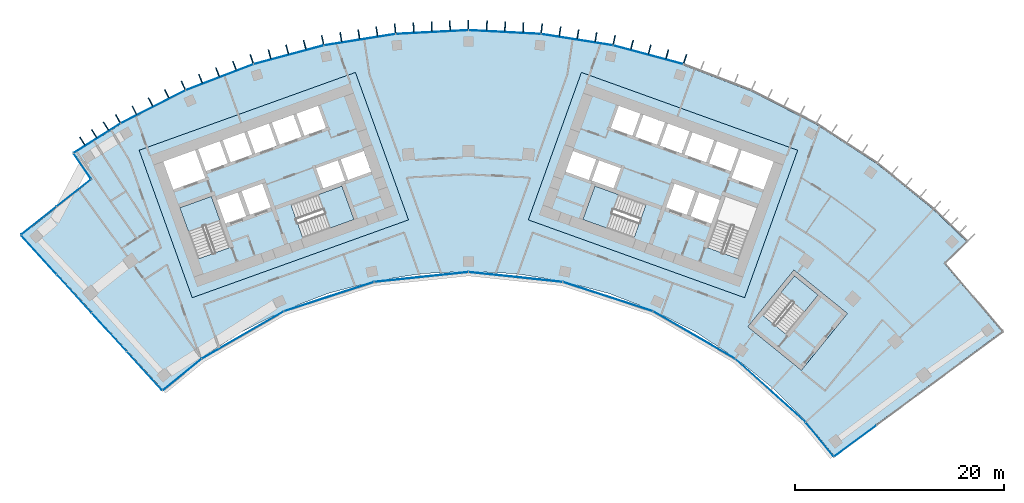
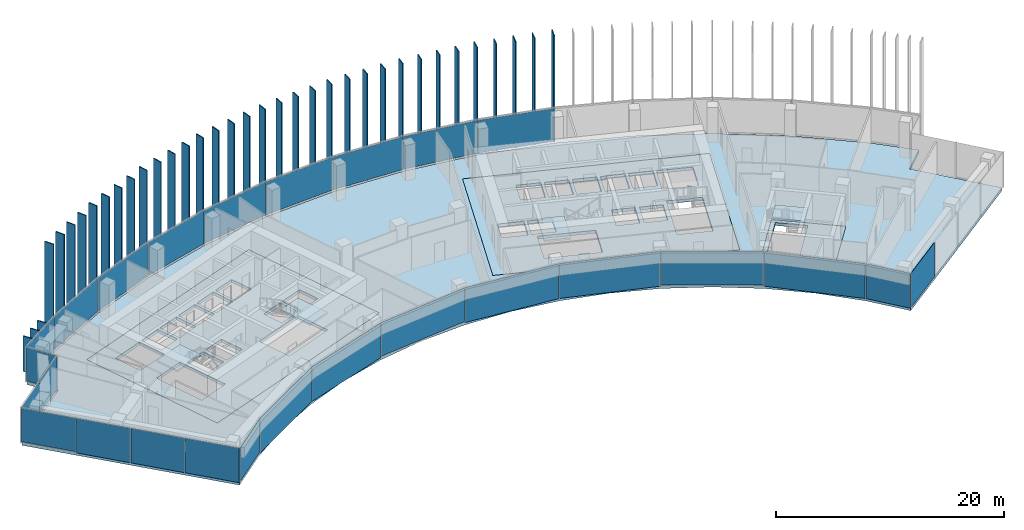
# One storey, part 11 of 19: 62 plates, 8 slabs, 10 elements without a shape of their own.
"""IFC4 building model written with IfcOpenShell, lengths in metres."""

from ifc_helpers import new_model, si_unit, direction, frame, origin, origin_2d, place, context, subcontext, project, spatial, polyline, rectangle, outline, extrude, material, layer, layer_set, type_object, element, aggregate, save


model = new_model("IFC4")

# Units and contexts
model_context = context("Model", 3, precision=1e-05, world=origin(), true_north=direction((0.0, 1.0)))
body_context = subcontext(model_context, "Body", "Model", "MODEL_VIEW")
ifc_project = project(units=[si_unit("LENGTHUNIT", "METRE"), si_unit("AREAUNIT", "SQUARE_METRE"), si_unit("VOLUMEUNIT", "CUBIC_METRE"), si_unit("PLANEANGLEUNIT", "RADIAN"), si_unit("MASSUNIT", "GRAM", prefix="KILO")], contexts=[model_context])

# Site, building, storey
site_placement = place(None, origin())
site = spatial("IfcSite", under=ifc_project, at=site_placement, CompositionType="ELEMENT")
building_placement = place(site_placement, origin())
building = spatial("IfcBuilding", under=site, at=building_placement, Name="Stone Belt Terrace Tower", CompositionType="ELEMENT")
storey_placement = place(building_placement, frame((0.0, 0.0, 235.199951171875)))
storey = spatial("IfcBuildingStorey", under=building, at=storey_placement, Name="L57", CompositionType="ELEMENT", Elevation=235.199951171875)

# Curtain wall, plates
ifc_material_1 = material(Name="Aluminium 6063-T6 anodised frame", Category="aluminium")
ifc_layer_1 = layer(ifc_material_1, 0.14990234375)
ifc_layer_set_1 = layer_set([ifc_layer_1], Name="CW-A unitised convex-face curtain wall")
curtain_wall_type_1 = type_object("IfcCurtainWallType", Name="CW-A unitised convex-face curtain wall", PredefinedType="NOTDEFINED", material=ifc_layer_set_1)
curtain_wall_1_placement = place(storey_placement, origin())
curtain_wall_1 = element("IfcCurtainWall", 1, at=curtain_wall_1_placement, inside=storey, type_object=curtain_wall_type_1, Name="CW-A convex face L57", PredefinedType="NOTDEFINED")
ifc_material_2 = material(Name="Clear double glazed unit")
ifc_layer_2 = layer(ifc_material_2, 0.031982421875)
ifc_layer_set_2 = layer_set([ifc_layer_2], Name="CW-A glass panel 32")
plate_type_1 = type_object("IfcPlateType", Name="CW-A glass panel 32", PredefinedType="CURTAIN_PANEL", material=ifc_layer_set_2)
plate_1_placement = place(storey_placement, frame((17.207275390625, 64.218505859375, 0.14013671875), z_axis=(0.0, 0.0, 1.0), x_axis=(-0.965925826289, 0.258819045103, 0.0)))
plate_1 = element("IfcPlate", 2, at=plate_1_placement, type_object=plate_type_1, Name="CW-A panel 6.1", PredefinedType="CURTAIN_PANEL", context=body_context, shape_type="SweptSolid", body=[
    extrude(rectangle(XDim=6.90087890625, YDim=0.031982421875, at=origin_2d()), origin(), (0.0, 0.0, 1.0), 3.52001953125),
])
plate_2_placement = place(storey_placement, frame((10.400390625, 65.665283203125, 0.14013671875), z_axis=(0.0, 0.0, 1.0), x_axis=(-0.987688340595, 0.15643446504, 0.0)))
plate_2 = element("IfcPlate", 3, at=plate_2_placement, type_object=plate_type_1, Name="CW-A panel 7.1", PredefinedType="CURTAIN_PANEL", context=body_context, shape_type="SweptSolid", body=[
    extrude(rectangle(XDim=6.90087890625, YDim=0.031982421875, at=origin_2d()), origin(), (0.0, 0.0, 1.0), 3.52001953125),
])
plate_3_placement = place(storey_placement, frame((3.4794921875, 66.392822265625, 0.14013671875), z_axis=(0.0, 0.0, 1.0), x_axis=(-0.998629534755, 0.052335956243, 0.0)))
plate_3 = element("IfcPlate", 4, at=plate_3_placement, type_object=plate_type_1, Name="CW-A panel 8.1", PredefinedType="CURTAIN_PANEL", context=body_context, shape_type="SweptSolid", body=[
    extrude(rectangle(XDim=6.90087890625, YDim=0.031982421875, at=origin_2d()), origin(), (0.0, 0.0, 1.0), 3.52001953125),
])
plate_4_placement = place(storey_placement, frame((-3.4794921875, 66.392822265625, 0.14013671875), z_axis=(0.0, 0.0, 1.0), x_axis=(-0.998629534755, -0.052335956243, 0.0)))
plate_4 = element("IfcPlate", 5, at=plate_4_placement, type_object=plate_type_1, Name="CW-A panel 9.1", PredefinedType="CURTAIN_PANEL", context=body_context, shape_type="SweptSolid", body=[
    extrude(rectangle(XDim=6.90087890625, YDim=0.031982421875, at=origin_2d()), origin(), (0.0, 0.0, 1.0), 3.52001953125),
])
plate_5_placement = place(storey_placement, frame((-10.400390625, 65.665283203125, 0.14013671875), z_axis=(0.0, 0.0, 1.0), x_axis=(-0.987688340595, -0.15643446504, 0.0)))
plate_5 = element("IfcPlate", 6, at=plate_5_placement, type_object=plate_type_1, Name="CW-A panel 10.1", PredefinedType="CURTAIN_PANEL", context=body_context, shape_type="SweptSolid", body=[
    extrude(rectangle(XDim=6.90087890625, YDim=0.031982421875, at=origin_2d()), origin(), (0.0, 0.0, 1.0), 3.52001953125),
])
plate_6_placement = place(storey_placement, frame((-17.207275390625, 64.218505859375, 0.14013671875), z_axis=(0.0, 0.0, 1.0), x_axis=(-0.965925826289, -0.258819045103, 0.0)))
plate_6 = element("IfcPlate", 7, at=plate_6_placement, type_object=plate_type_1, Name="CW-A panel 11.1", PredefinedType="CURTAIN_PANEL", context=body_context, shape_type="SweptSolid", body=[
    extrude(rectangle(XDim=6.90087890625, YDim=0.031982421875, at=origin_2d()), origin(), (0.0, 0.0, 1.0), 3.52001953125),
])
plate_7_placement = place(storey_placement, frame((-23.82568359375, 62.068115234375, 0.14013671875), z_axis=(0.0, 0.0, 1.0), x_axis=(-0.933580426497, -0.358367949545, 0.0)))
plate_7 = element("IfcPlate", 8, at=plate_7_placement, type_object=plate_type_1, Name="CW-A panel 12.1", PredefinedType="CURTAIN_PANEL", context=body_context, shape_type="SweptSolid", body=[
    extrude(rectangle(XDim=6.90087890625, YDim=0.031982421875, at=origin_2d()), origin(), (0.0, 0.0, 1.0), 3.52001953125),
])
plate_8_placement = place(storey_placement, frame((-30.18310546875, 59.237548828125, 0.14013671875), z_axis=(0.0, 0.0, 1.0), x_axis=(-0.891006524188, -0.45399049974, 0.0)))
plate_8 = element("IfcPlate", 9, at=plate_8_placement, type_object=plate_type_1, Name="CW-A panel 13.1", PredefinedType="CURTAIN_PANEL", context=body_context, shape_type="SweptSolid", body=[
    extrude(rectangle(XDim=6.90087890625, YDim=0.031982421875, at=origin_2d()), origin(), (0.0, 0.0, 1.0), 3.52001953125),
])
plate_9_placement = place(storey_placement, frame((-35.53125, 56.23876953125, 0.14013671875), z_axis=(0.0, 0.0, 1.0), x_axis=(-0.845539701985, -0.533912551236, 0.0)))
plate_9 = element("IfcPlate", 10, at=plate_9_placement, type_object=plate_type_1, Name="CW-A panel 14.1", PredefinedType="CURTAIN_PANEL", context=body_context, shape_type="SweptSolid", body=[
    extrude(rectangle(XDim=5.24169921875, YDim=0.031982421875, at=origin_2d()), origin(), (0.0, 0.0, 1.0), 3.52001953125),
])
aggregate(curtain_wall_1, [plate_1, plate_2, plate_3, plate_4, plate_5, plate_6, plate_7, plate_8, plate_9])

ifc_layer_3 = layer(ifc_material_1, 0.14990234375)
ifc_layer_set_3 = layer_set([ifc_layer_3], Name="CW-B unitised concave-face curtain wall")
curtain_wall_type_2 = type_object("IfcCurtainWallType", Name="CW-B unitised concave-face curtain wall", PredefinedType="NOTDEFINED", material=ifc_layer_set_3)
curtain_wall_2_placement = place(storey_placement, origin())
curtain_wall_2 = element("IfcCurtainWall", 11, at=curtain_wall_2_placement, inside=storey, type_object=curtain_wall_type_2, Name="CW-B concave face L57", PredefinedType="NOTDEFINED")
ifc_layer_4 = layer(ifc_material_2, 0.030029296875)
ifc_layer_set_4 = layer_set([ifc_layer_4], Name="CW-B glass panel 30")
plate_type_2 = type_object("IfcPlateType", Name="CW-B glass panel 30", PredefinedType="CURTAIN_PANEL", material=ifc_layer_set_4)
plate_10_placement = place(storey_placement, frame((-27.388427734375, 33.6142578125, 0.1201171875), z_axis=(0.0, 0.0, 1.0), x_axis=(0.77552492833, 0.631316945392, 0.0)))
plate_10 = element("IfcPlate", 12, at=plate_10_placement, type_object=plate_type_2, Name="CW-B panel 1.1", PredefinedType="CURTAIN_PANEL", context=body_context, shape_type="SweptSolid", body=[
    extrude(rectangle(XDim=4.740966796875, YDim=0.030029296875, at=origin_2d()), origin(), (0.0, 0.0, 1.0), 3.56005859375),
])
plate_11_placement = place(storey_placement, frame((-21.594970703125, 37.39990234375, 0.0), z_axis=(0.0, 0.0, 1.0), x_axis=(0.866025403784, 0.5, 0.0)))
plate_11 = element("IfcPlate", 13, at=plate_11_placement, type_object=plate_type_2, Name="CW-B panel 2.1", PredefinedType="CURTAIN_PANEL", context=body_context, shape_type="SweptSolid", body=[
    extrude(rectangle(XDim=9.0166015625, YDim=0.030029296875, at=origin_2d()), origin(), (0.0, 0.0, 1.0), 3.679931640625),
])
plate_12_placement = place(storey_placement, frame((-13.345458984375, 41.072998046875, 0.0), z_axis=(0.0, 0.0, 1.0), x_axis=(0.951056516295, 0.309016994375, 0.0)))
plate_12 = element("IfcPlate", 14, at=plate_12_placement, type_object=plate_type_2, Name="CW-B panel 3.1", PredefinedType="CURTAIN_PANEL", context=body_context, shape_type="SweptSolid", body=[
    extrude(rectangle(XDim=9.0126953125, YDim=0.030029296875, at=origin_2d()), origin(), (0.0, 0.0, 1.0), 3.679931640625),
])
plate_13_placement = place(storey_placement, frame((-4.51416015625, 42.9501953125, 0.1201171875), z_axis=(0.0, 0.0, 1.0), x_axis=(0.994521895368, 0.104528463268, 0.0)))
plate_13 = element("IfcPlate", 15, at=plate_13_placement, type_object=plate_type_2, Name="CW-B panel 4.1", PredefinedType="CURTAIN_PANEL", context=body_context, shape_type="SweptSolid", body=[
    extrude(rectangle(XDim=9.0126953125, YDim=0.030029296875, at=origin_2d()), origin(), (0.0, 0.0, 1.0), 3.56005859375),
])
plate_14_placement = place(storey_placement, frame((4.51416015625, 42.9501953125, 0.0), z_axis=(0.0, 0.0, 1.0), x_axis=(0.994521895368, -0.104528463268, 0.0)))
plate_14 = element("IfcPlate", 16, at=plate_14_placement, type_object=plate_type_2, Name="CW-B panel 5.1", PredefinedType="CURTAIN_PANEL", context=body_context, shape_type="SweptSolid", body=[
    extrude(rectangle(XDim=9.0126953125, YDim=0.030029296875, at=origin_2d()), origin(), (0.0, 0.0, 1.0), 3.679931640625),
])
plate_15_placement = place(storey_placement, frame((13.345458984375, 41.072998046875, 0.0), z_axis=(0.0, 0.0, 1.0), x_axis=(0.951056516295, -0.309016994375, 0.0)))
plate_15 = element("IfcPlate", 17, at=plate_15_placement, type_object=plate_type_2, Name="CW-B panel 6.1", PredefinedType="CURTAIN_PANEL", context=body_context, shape_type="SweptSolid", body=[
    extrude(rectangle(XDim=9.0126953125, YDim=0.030029296875, at=origin_2d()), origin(), (0.0, 0.0, 1.0), 3.679931640625),
])
plate_16_placement = place(storey_placement, frame((21.59326171875, 37.40087890625, 0.1201171875), z_axis=(0.0, 0.0, 1.0), x_axis=(0.866025403784, -0.5, 0.0)))
plate_16 = element("IfcPlate", 18, at=plate_16_placement, type_object=plate_type_2, Name="CW-B panel 7.1", PredefinedType="CURTAIN_PANEL", context=body_context, shape_type="SweptSolid", body=[
    extrude(rectangle(XDim=9.0126953125, YDim=0.030029296875, at=origin_2d()), origin(), (0.0, 0.0, 1.0), 3.56005859375),
])
plate_17_placement = place(storey_placement, frame((28.899169921875, 32.092529296875, 0.0), z_axis=(0.0, 0.0, 1.0), x_axis=(0.743144825477, -0.669130606359, 0.0)))
plate_17 = element("IfcPlate", 19, at=plate_17_placement, type_object=plate_type_2, Name="CW-B panel 8.1", PredefinedType="CURTAIN_PANEL", context=body_context, shape_type="SweptSolid", body=[
    extrude(rectangle(XDim=9.01708984375, YDim=0.030029296875, at=origin_2d()), origin(), (0.0, 0.0, 1.0), 3.679931640625),
])
plate_18_placement = place(storey_placement, frame((33.611572265625, 27.4150390625, 0.0), z_axis=(0.0, 0.0, 1.0), x_axis=(0.632397726807, -0.774643863417, 0.0)))
plate_18 = element("IfcPlate", 20, at=plate_18_placement, type_object=plate_type_2, Name="CW-B panel 9.1", PredefinedType="CURTAIN_PANEL", context=body_context, shape_type="SweptSolid", body=[
    extrude(rectangle(XDim=4.173828125, YDim=0.030029296875, at=origin_2d()), origin(), (0.0, 0.0, 1.0), 3.679931640625),
])
aggregate(curtain_wall_2, [plate_10, plate_11, plate_12, plate_13, plate_14, plate_15, plate_16, plate_17, plate_18])

# Curtain wall, plate
ifc_layer_5 = layer(ifc_material_1, 0.14990234375)
ifc_layer_set_5 = layer_set([ifc_layer_5], Name="CW-C stick curtain wall, horn ends and notches")
curtain_wall_type_3 = type_object("IfcCurtainWallType", Name="CW-C stick curtain wall, horn ends and notches", PredefinedType="NOTDEFINED", material=ifc_layer_set_5)
curtain_wall_3_placement = place(storey_placement, origin())
curtain_wall_3 = element("IfcCurtainWall", 21, at=curtain_wall_3_placement, inside=storey, type_object=curtain_wall_type_3, Name="CW-C end face L57", PredefinedType="NOTDEFINED")
ifc_layer_6 = layer(ifc_material_2, 0.028076171875)
ifc_layer_set_6 = layer_set([ifc_layer_6], Name="CW-C glass panel 28")
plate_type_3 = type_object("IfcPlateType", Name="CW-C glass panel 28", PredefinedType="CURTAIN_PANEL", material=ifc_layer_set_6)
plate_19_placement = place(storey_placement, frame((37.032470703125, 27.263916015625, 0.1201171875), z_axis=(0.0, 0.0, 1.0), x_axis=(0.804329077539, 0.594184091865, 0.0)))
plate_19 = element("IfcPlate", 22, at=plate_19_placement, type_object=plate_type_3, Name="CW-C panel 1.1", PredefinedType="CURTAIN_PANEL", context=body_context, shape_type="SweptSolid", body=[
    extrude(rectangle(XDim=4.968017578125, YDim=0.028076171875, at=origin_2d()), origin(), (0.0, 0.0, 1.0), 3.679931640625),
])
aggregate(curtain_wall_3, [plate_19])

curtain_wall_4_placement = place(storey_placement, origin())
curtain_wall_4 = element("IfcCurtainWall", 23, at=curtain_wall_4_placement, inside=storey, type_object=curtain_wall_type_3, Name="CW-C notch face L57", PredefinedType="NOTDEFINED")
plate_20_placement = place(storey_placement, frame((-36.95751953125, 53.56005859375, 0.1201171875), z_axis=(0.0, 0.0, 1.0), x_axis=(0.566987006549, -0.823726735274, 0.0)))
plate_20 = element("IfcPlate", 24, at=plate_20_placement, type_object=plate_type_3, Name="CW-C panel 1.1", PredefinedType="CURTAIN_PANEL", context=body_context, shape_type="SweptSolid", body=[
    extrude(rectangle(XDim=2.85986328125, YDim=0.028076171875, at=origin_2d()), origin(), (0.0, 0.0, 1.0), 3.56005859375),
])
aggregate(curtain_wall_4, [plate_20])

# Curtain wall, plates
curtain_wall_5_placement = place(storey_placement, origin())
curtain_wall_5 = element("IfcCurtainWall", 25, at=curtain_wall_5_placement, inside=storey, type_object=curtain_wall_type_3, Name="CW-C notch face L57", PredefinedType="NOTDEFINED")
plate_21_placement = place(storey_placement, frame((-37.776611328125, 50.99609375, 0.1201171875), z_axis=(0.0, 0.0, 1.0), x_axis=(-0.783503217382, -0.621387727874, 0.0)))
plate_21 = element("IfcPlate", 26, at=plate_21_placement, type_object=plate_type_3, Name="CW-C panel 1.1", PredefinedType="CURTAIN_PANEL", context=body_context, shape_type="SweptSolid", body=[
    extrude(rectangle(XDim=4.12060546875, YDim=0.028076171875, at=origin_2d()), origin(), (0.0, 0.0, 1.0), 3.56005859375),
])
plate_22_placement = place(storey_placement, frame((-41.110107421875, 48.3525390625, 0.0), z_axis=(0.0, 0.0, 1.0), x_axis=(-0.783503217382, -0.621387727874, 0.0)))
plate_22 = element("IfcPlate", 27, at=plate_22_placement, type_object=plate_type_3, Name="CW-C panel 2.1", PredefinedType="CURTAIN_PANEL", context=body_context, shape_type="SweptSolid", body=[
    extrude(rectangle(XDim=4.268798828125, YDim=0.028076171875, at=origin_2d()), origin(), (0.0, 0.0, 1.0), 3.679931640625),
])
aggregate(curtain_wall_5, [plate_21, plate_22])

curtain_wall_6_placement = place(storey_placement, origin())
curtain_wall_6 = element("IfcCurtainWall", 28, at=curtain_wall_6_placement, inside=storey, type_object=curtain_wall_type_3, Name="CW-C end face L57", PredefinedType="NOTDEFINED")
plate_23_placement = place(storey_placement, frame((-41.116943359375, 45.083740234375, 0.1201171875), z_axis=(0.0, 0.0, 1.0), x_axis=(0.672944127735, -0.739693315468, 0.0)))
plate_23 = element("IfcPlate", 29, at=plate_23_placement, type_object=plate_type_3, Name="CW-C panel 1.1", PredefinedType="CURTAIN_PANEL", context=body_context, shape_type="SweptSolid", body=[
    extrude(rectangle(XDim=4.974853515625, YDim=0.028076171875, at=origin_2d()), origin(), (0.0, 0.0, 1.0), 3.56005859375),
])
plate_24_placement = place(storey_placement, frame((-37.740234375, 41.372314453125, 0.0), z_axis=(0.0, 0.0, 1.0), x_axis=(0.672944127735, -0.739693315468, 0.0)))
plate_24 = element("IfcPlate", 30, at=plate_24_placement, type_object=plate_type_3, Name="CW-C panel 2.1", PredefinedType="CURTAIN_PANEL", context=body_context, shape_type="SweptSolid", body=[
    extrude(rectangle(XDim=4.93994140625, YDim=0.028076171875, at=origin_2d()), origin(), (0.0, 0.0, 1.0), 3.679931640625),
])
plate_25_placement = place(storey_placement, frame((-34.375732421875, 37.673828125, 0.0), z_axis=(0.0, 0.0, 1.0), x_axis=(0.672944127735, -0.739693315468, 0.0)))
plate_25 = element("IfcPlate", 31, at=plate_25_placement, type_object=plate_type_3, Name="CW-C panel 3.1", PredefinedType="CURTAIN_PANEL", context=body_context, shape_type="SweptSolid", body=[
    extrude(rectangle(XDim=4.93994140625, YDim=0.028076171875, at=origin_2d()), origin(), (0.0, 0.0, 1.0), 3.679931640625),
])
plate_26_placement = place(storey_placement, frame((-31.001708984375, 33.965087890625, 0.0), z_axis=(0.0, 0.0, 1.0), x_axis=(0.672944127735, -0.739693315468, 0.0)))
plate_26 = element("IfcPlate", 32, at=plate_26_placement, type_object=plate_type_3, Name="CW-C panel 4.1", PredefinedType="CURTAIN_PANEL", context=body_context, shape_type="SweptSolid", body=[
    extrude(rectangle(XDim=4.967529296875, YDim=0.028076171875, at=origin_2d()), origin(), (0.0, 0.0, 1.0), 3.679931640625),
])
aggregate(curtain_wall_6, [plate_23, plate_24, plate_25, plate_26])

# Slabs
ifc_material_3 = material(Name="Concrete B40", Category="concrete")
ifc_layer_7 = layer(ifc_material_3, 0.320068359375)
ifc_layer_set_7 = layer_set([ifc_layer_7], Name="Core floor slab 320")
slab_type_1 = type_object("IfcSlabType", Name="Core floor slab 320", PredefinedType="FLOOR", material=ifc_layer_set_7)
slab_1_placement = place(storey_placement, frame((0.0, 0.0, -0.320068359375)))
element("IfcSlab", 33, at=slab_1_placement, inside=storey, type_object=slab_type_1, Name="Core A floor L57", PredefinedType="FLOOR", context=body_context, shape_type="SweptSolid", body=[
    extrude(outline(polyline([(-26.43505859375, 40.968994140625), (-5.735107421875, 48.4189453125), (-10.81396484375, 62.531982421875), (-31.513916015625, 55.0830078125), (-26.43505859375, 40.968994140625)]), holes=[polyline([(-24.60791015625, 50.659912109375), (-22.847900390625, 45.76806640625), (-25.85888671875, 44.68408203125), (-27.618896484375, 49.575927734375), (-24.60791015625, 50.659912109375)]), polyline([(-23.25, 48.06689453125), (-24.06298828125, 50.324951171875), (-22.0869140625, 51.035888671875), (-21.27392578125, 48.778076171875), (-23.25, 48.06689453125)]), polyline([(-20.89794921875, 48.9130859375), (-21.7109375, 51.1708984375), (-19.735107421875, 51.883056640625), (-18.922119140625, 49.6240234375), (-20.89794921875, 48.9130859375)]), polyline([(-28.24609375, 51.31689453125), (-29.2109375, 53.9990234375), (-26.153076171875, 55.09912109375), (-25.18798828125, 52.41796875), (-28.24609375, 51.31689453125)]), polyline([(-23.801025390625, 55.946044921875), (-23.0390625, 53.8291015625), (-25.10888671875, 53.083984375), (-25.87109375, 55.200927734375), (-23.801025390625, 55.946044921875)]), polyline([(-21.447998046875, 56.7919921875), (-20.68603515625, 54.675048828125), (-22.756103515625, 53.929931640625), (-23.51806640625, 56.047119140625), (-21.447998046875, 56.7919921875)]), polyline([(-10.955078125, 48.452880859375), (-15.846923828125, 46.69189453125), (-16.998046875, 49.89208984375), (-12.10595703125, 51.652099609375), (-10.955078125, 48.452880859375)]), polyline([(-11.847900390625, 52.116943359375), (-11.864990234375, 52.1640625), (-13.887939453125, 51.43603515625), (-14.58203125, 53.364990234375), (-12.511962890625, 54.110107421875), (-11.801025390625, 52.134033203125), (-11.847900390625, 52.116943359375)]), polyline([(-9.30810546875, 53.031005859375), (-11.51904296875, 52.235107421875), (-12.22998046875, 54.2109375), (-10.01904296875, 55.007080078125), (-9.30810546875, 53.031005859375)]), polyline([(-21.166015625, 56.89404296875), (-19.095947265625, 57.638916015625), (-18.333984375, 55.52197265625), (-20.404052734375, 54.777099609375), (-21.166015625, 56.89404296875)]), polyline([(-16.743896484375, 58.485107421875), (-15.98193359375, 56.367919921875), (-18.052001953125, 55.623046875), (-18.81396484375, 57.739990234375), (-16.743896484375, 58.485107421875)]), polyline([(-14.39111328125, 59.33203125), (-13.6298828125, 57.215087890625), (-15.699951171875, 56.469970703125), (-16.4609375, 58.5869140625), (-14.39111328125, 59.33203125)])]), origin(), (0.0, 0.0, 1.0), 0.320068359375),
])
slab_2_placement = place(storey_placement, frame((0.0, 0.0, -0.320068359375)))
element("IfcSlab", 34, at=slab_2_placement, inside=storey, type_object=slab_type_1, Name="Core B floor L57", PredefinedType="FLOOR", context=body_context, shape_type="SweptSolid", body=[
    extrude(outline(polyline([(26.43505859375, 40.968994140625), (31.513916015625, 55.0830078125), (10.81396484375, 62.531982421875), (5.735107421875, 48.4189453125), (26.43505859375, 40.968994140625)]), holes=[polyline([(12.10595703125, 51.652099609375), (16.998046875, 49.89208984375), (15.846923828125, 46.69189453125), (10.955078125, 48.452880859375), (12.10595703125, 51.652099609375)]), polyline([(12.511962890625, 54.110107421875), (14.58203125, 53.364990234375), (13.887939453125, 51.43603515625), (11.864990234375, 52.1640625), (11.847900390625, 52.116943359375), (11.801025390625, 52.134033203125), (12.511962890625, 54.110107421875)]), polyline([(9.30810546875, 53.031005859375), (10.01904296875, 55.007080078125), (12.22998046875, 54.2109375), (11.51904296875, 52.235107421875), (9.30810546875, 53.031005859375)]), polyline([(18.333984375, 55.52197265625), (19.095947265625, 57.638916015625), (21.166015625, 56.89404296875), (20.404052734375, 54.777099609375), (18.333984375, 55.52197265625)]), polyline([(16.743896484375, 58.485107421875), (18.81396484375, 57.739990234375), (18.052001953125, 55.623046875), (15.98193359375, 56.367919921875), (16.743896484375, 58.485107421875)]), polyline([(14.39111328125, 59.33203125), (16.4609375, 58.5869140625), (15.699951171875, 56.469970703125), (13.6298828125, 57.215087890625), (14.39111328125, 59.33203125)]), polyline([(27.618896484375, 49.575927734375), (25.85888671875, 44.68408203125), (22.847900390625, 45.76806640625), (24.60791015625, 50.659912109375), (27.618896484375, 49.575927734375)]), polyline([(23.25, 48.06689453125), (21.27392578125, 48.778076171875), (22.0869140625, 51.035888671875), (24.06298828125, 50.324951171875), (23.25, 48.06689453125)]), polyline([(20.89794921875, 48.9130859375), (18.922119140625, 49.6240234375), (19.735107421875, 51.883056640625), (21.7109375, 51.1708984375), (20.89794921875, 48.9130859375)]), polyline([(26.153076171875, 55.09912109375), (29.2109375, 53.9990234375), (28.24609375, 51.31689453125), (25.18798828125, 52.41796875), (26.153076171875, 55.09912109375)]), polyline([(23.801025390625, 55.946044921875), (25.87109375, 55.200927734375), (25.10888671875, 53.083984375), (23.0390625, 53.8291015625), (23.801025390625, 55.946044921875)]), polyline([(21.447998046875, 56.7919921875), (23.51806640625, 56.047119140625), (22.756103515625, 53.929931640625), (20.68603515625, 54.675048828125), (21.447998046875, 56.7919921875)])]), origin(), (0.0, 0.0, 1.0), 0.320068359375),
])
slab_3_placement = place(storey_placement, frame((0.0, 0.0, -0.320068359375)))
element("IfcSlab", 35, at=slab_3_placement, inside=storey, type_object=slab_type_1, Name="Exit stair ST3B floor L57", PredefinedType="FLOOR", context=body_context, shape_type="SweptSolid", body=[
    extrude(outline(polyline([(26.741943359375, 38.18408203125), (31.866943359375, 34.02392578125), (36.278076171875, 39.458984375), (31.154052734375, 43.618896484375), (26.741943359375, 38.18408203125)]), holes=[polyline([(30.407958984375, 37.462890625), (28.156005859375, 39.291015625), (31.2119140625, 43.055908203125), (33.464111328125, 41.22802734375), (30.407958984375, 37.462890625)])]), origin(), (0.0, 0.0, 1.0), 0.320068359375),
])
ifc_layer_8 = layer(ifc_material_3, 0.320068359375)
ifc_layer_set_8 = layer_set([ifc_layer_8], Name="Floor slab 320 B40")
slab_type_2 = type_object("IfcSlabType", Name="Floor slab 320 B40", PredefinedType="FLOOR", material=ifc_layer_set_8)
slab_4_placement = place(storey_placement, frame((0.0, 0.0, -0.320068359375)))
element("IfcSlab", 36, at=slab_4_placement, inside=storey, type_object=slab_type_2, Name="Floor slab L57", PredefinedType="FLOOR", context=body_context, shape_type="SweptSolid", body=[
    extrude(outline(polyline([(-37.70458984375, 54.77783203125), (-33.25, 57.5908203125), (-27.048095703125, 60.750732421875), (-20.549560546875, 63.245361328125), (-13.826171875, 65.046875), (-6.951171875, 66.1357421875), (0.0, 66.5), (6.951171875, 66.1357421875), (13.826171875, 65.046875), (20.549560546875, 63.245361328125), (27.048095703125, 60.750732421875), (33.25, 57.5908203125), (39.087646484375, 53.799560546875), (44.497314453125, 49.419189453125), (47.66748046875, 46.368896484375), (45.51708984375, 44.277099609375), (51.074951171875, 37.730712890625), (34.98828125, 25.846923828125), (32.326904296875, 29.107177734375), (29.107177734375, 32.326904296875), (25.568603515625, 35.192138671875), (21.75, 37.672119140625), (17.693115234375, 39.7392578125), (13.442138671875, 41.37109375), (9.044189453125, 42.54931640625), (4.547119140625, 43.26171875), (0.0, 43.5), (-4.547119140625, 43.26171875), (-9.044189453125, 42.54931640625), (-13.442138671875, 41.37109375), (-17.693115234375, 39.7392578125), (-21.75, 37.672119140625), (-25.568603515625, 35.192138671875), (-29.107177734375, 32.326904296875), (-29.273193359375, 32.1767578125), (-42.73193359375, 46.970458984375), (-36.003662109375, 52.306640625), (-37.70458984375, 54.77783203125)]), holes=[polyline([(-31.51416015625, 55.082763671875), (-26.434814453125, 40.968994140625), (-5.734619140625, 48.418701171875), (-10.81396484375, 62.532470703125), (-31.51416015625, 55.082763671875)]), polyline([(31.51416015625, 55.082763671875), (10.81396484375, 62.532470703125), (5.734619140625, 48.418701171875), (26.434814453125, 40.968994140625), (31.51416015625, 55.082763671875)]), polyline([(36.2783203125, 39.459228515625), (31.15380859375, 43.61865234375), (26.742431640625, 38.18359375), (31.86669921875, 34.024169921875), (36.2783203125, 39.459228515625)])]), origin(), (0.0, 0.0, 1.0), 0.320068359375),
])

# Stair, slab
stair_type = type_object("IfcStairType", Name="Exit stair 1500", PredefinedType="HALF_TURN_STAIR", material=ifc_material_3)
stair_1_placement = place(storey_placement, origin())
stair_1 = element("IfcStair", 37, at=stair_1_placement, inside=storey, type_object=stair_type, Name="L57 Exit stair 1 core A", PredefinedType="HALF_TURN_STAIR")
ifc_layer_9 = layer(ifc_material_3, 0.199951171875)
ifc_layer_set_9 = layer_set([ifc_layer_9], Name="Stair landing 200")
slab_type_3 = type_object("IfcSlabType", Name="Stair landing 200", PredefinedType="LANDING", material=ifc_layer_set_9)
slab_5_placement = place(storey_placement, frame((0.0, 0.0, 1.699951171875)))
slab_5 = element("IfcSlab", 38, at=slab_5_placement, type_object=slab_type_3, Name="ST1A landing 1", PredefinedType="LANDING", context=body_context, shape_type="SweptSolid", body=[
    extrude(outline(polyline([(-23.79541015625, 48.40087890625), (-24.6083984375, 50.659912109375), (-27.619384765625, 49.576171875), (-26.806396484375, 47.3173828125), (-23.79541015625, 48.40087890625)])), origin(), (0.0, 0.0, 1.0), 0.2001953125),
])
aggregate(stair_1, [slab_5])

stair_2_placement = place(storey_placement, origin())
stair_2 = element("IfcStair", 39, at=stair_2_placement, inside=storey, type_object=stair_type, Name="L57 Exit stair 2 core A", PredefinedType="HALF_TURN_STAIR")
slab_6_placement = place(storey_placement, frame((0.0, 0.0, 1.699951171875)))
slab_6 = element("IfcSlab", 40, at=slab_6_placement, type_object=slab_type_3, Name="ST2A landing 1", PredefinedType="LANDING", context=body_context, shape_type="SweptSolid", body=[
    extrude(outline(polyline([(-13.213623046875, 47.64013671875), (-10.95458984375, 48.453125), (-12.10595703125, 51.652099609375), (-14.36474609375, 50.839111328125), (-13.213623046875, 47.64013671875)])), origin(), (0.0, 0.0, 1.0), 0.2001953125),
])
aggregate(stair_2, [slab_6])

stair_3_placement = place(storey_placement, origin())
stair_3 = element("IfcStair", 41, at=stair_3_placement, inside=storey, type_object=stair_type, Name="L57 Exit stair 2 core B", PredefinedType="HALF_TURN_STAIR")
slab_7_placement = place(storey_placement, frame((0.0, 0.0, 1.699951171875)))
slab_7 = element("IfcSlab", 42, at=slab_7_placement, type_object=slab_type_3, Name="ST2B landing 1", PredefinedType="LANDING", context=body_context, shape_type="SweptSolid", body=[
    extrude(outline(polyline([(14.36474609375, 50.839111328125), (12.10595703125, 51.652099609375), (10.95458984375, 48.453125), (13.213623046875, 47.64013671875), (14.36474609375, 50.839111328125)])), origin(), (0.0, 0.0, 1.0), 0.2001953125),
])
aggregate(stair_3, [slab_7])

stair_4_placement = place(storey_placement, origin())
stair_4 = element("IfcStair", 43, at=stair_4_placement, inside=storey, type_object=stair_type, Name="L57 Exit stair 3B", PredefinedType="HALF_TURN_STAIR")
slab_8_placement = place(storey_placement, frame((0.0, 0.0, 1.699951171875)))
slab_8 = element("IfcSlab", 44, at=slab_8_placement, type_object=slab_type_3, Name="ST3B landing 1", PredefinedType="LANDING", context=body_context, shape_type="SweptSolid", body=[
    extrude(outline(polyline([(32.17138671875, 39.635986328125), (33.4638671875, 41.228271484375), (31.21240234375, 43.055908203125), (29.919921875, 41.463623046875), (32.17138671875, 39.635986328125)])), origin(), (0.0, 0.0, 1.0), 0.2001953125),
])
aggregate(stair_4, [slab_8])

# Plates
ifc_material_4 = material(Name="Terracotta coloured glazed ceramic", Category="masonry")
ifc_layer_10 = layer(ifc_material_4, 0.10009765625)
ifc_layer_set_10 = layer_set([ifc_layer_10], Name="Terracotta fin 100 x 900")
plate_type_4 = type_object("IfcPlateType", Name="Terracotta fin 100 x 900", PredefinedType="SHEET", material=ifc_layer_set_10)
for number, where, z_axis, x_axis, name in (
    (45, (20.735107421875, 63.81591796875, 0.0), (0.0, 0.0, 1.0), (0.309016994375, 0.951056516295, 0.0), "FIN L57 6.1"),
    (46, (19.02587890625, 64.274658203125, 0.0), (0.0, 0.0, 1.0), (0.258819045103, 0.965925826289, 0.0), "FIN L57 6.2"),
    (47, (17.34326171875, 64.7255859375, 0.0), (0.0, 0.0, 1.0), (0.258819045103, 0.965925826289, 0.0), "FIN L57 6.3"),
    (48, (15.660400390625, 65.176513671875, 0.0), (0.0, 0.0, 1.0), (0.258819045103, 0.965925826289, 0.0), "FIN L57 6.4"),
    (49, (13.950927734375, 65.6337890625, 0.0), (0.0, 0.0, 1.0), (0.207911690818, 0.978147600734, 0.0), "FIN L57 7.1"),
    (50, (12.203125, 65.911376953125, 0.0), (0.0, 0.0, 1.0), (0.15643446504, 0.987688340595, 0.0), "FIN L57 7.2"),
    (51, (10.482421875, 66.183837890625, 0.0), (0.0, 0.0, 1.0), (0.15643446504, 0.987688340595, 0.0), "FIN L57 7.3"),
    (52, (8.76171875, 66.456298828125, 0.0), (0.0, 0.0, 1.0), (0.15643446504, 0.987688340595, 0.0), "FIN L57 7.4"),
    (53, (7.013916015625, 66.732421875, 0.0), (0.0, 0.0, 1.0), (0.104528463268, 0.994521895368, 0.0), "FIN L57 8.1"),
    (54, (5.246826171875, 66.825927734375, 0.0), (0.0, 0.0, 1.0), (0.052335956243, 0.998629534755, 0.0), "FIN L57 8.2"),
    (55, (3.507080078125, 66.9169921875, 0.0), (0.0, 0.0, 1.0), (0.052335956243, 0.998629534755, 0.0), "FIN L57 8.3"),
    (56, (1.767333984375, 67.00830078125, 0.0), (0.0, 0.0, 1.0), (0.052335956243, 0.998629534755, 0.0), "FIN L57 8.4"),
    (57, (0.0, 67.10009765625, 0.0), (0.0, 0.0, 1.0), (0.0, 1.0, 0.0), "FIN L57 9.1"),
    (58, (-1.767333984375, 67.00830078125, 0.0), (0.0, 0.0, 1.0), (-0.052335956243, 0.998629534755, 0.0), "FIN L57 9.2"),
    (59, (-3.507080078125, 66.9169921875, 0.0), (0.0, 0.0, 1.0), (-0.052335956243, 0.998629534755, 0.0), "FIN L57 9.3"),
    (60, (-5.246826171875, 66.825927734375, 0.0), (0.0, 0.0, 1.0), (-0.052335956243, 0.998629534755, 0.0), "FIN L57 9.4"),
    (61, (-7.013916015625, 66.732421875, 0.0), (0.0, 0.0, 1.0), (-0.104528463268, 0.994521895368, 0.0), "FIN L57 10.1"),
    (62, (-8.76171875, 66.456298828125, 0.0), (0.0, 0.0, 1.0), (-0.15643446504, 0.987688340595, 0.0), "FIN L57 10.2"),
    (63, (-10.482421875, 66.183837890625, 0.0), (0.0, 0.0, 1.0), (-0.15643446504, 0.987688340595, 0.0), "FIN L57 10.3"),
    (64, (-12.203125, 65.911376953125, 0.0), (0.0, 0.0, 1.0), (-0.15643446504, 0.987688340595, 0.0), "FIN L57 10.4"),
    (65, (-13.950927734375, 65.6337890625, 0.0), (0.0, 0.0, 1.0), (-0.207911690818, 0.978147600734, 0.0), "FIN L57 11.1"),
    (66, (-15.660400390625, 65.176513671875, 0.0), (0.0, 0.0, 1.0), (-0.258819045103, 0.965925826289, 0.0), "FIN L57 11.2"),
    (67, (-17.34326171875, 64.7255859375, 0.0), (0.0, 0.0, 1.0), (-0.258819045103, 0.965925826289, 0.0), "FIN L57 11.3"),
    (68, (-19.02587890625, 64.274658203125, 0.0), (0.0, 0.0, 1.0), (-0.258819045103, 0.965925826289, 0.0), "FIN L57 11.4"),
    (69, (-20.735107421875, 63.81591796875, 0.0), (0.0, 0.0, 1.0), (-0.309016994375, 0.951056516295, 0.0), "FIN L57 12.1"),
    (70, (-22.387451171875, 63.182373046875, 0.0), (0.0, 0.0, 1.0), (-0.358367949545, 0.933580426497, 0.0), "FIN L57 12.2"),
    (71, (-24.013916015625, 62.55810546875, 0.0), (0.0, 0.0, 1.0), (-0.358367949545, 0.933580426497, 0.0), "FIN L57 12.3"),
    (72, (-25.64013671875, 61.933837890625, 0.0), (0.0, 0.0, 1.0), (-0.358367949545, 0.933580426497, 0.0), "FIN L57 12.4"),
    (73, (-27.2919921875, 61.299072265625, 0.0), (0.0, 0.0, 1.0), (-0.406736643076, 0.913545457643, 0.0), "FIN L57 13.1"),
    (74, (-28.869140625, 60.496337890625, 0.0), (0.0, 0.0, 1.0), (-0.45399049974, 0.891006524188, 0.0), "FIN L57 13.2"),
    (75, (-30.421142578125, 59.705322265625, 0.0), (0.0, 0.0, 1.0), (-0.45399049974, 0.891006524188, 0.0), "FIN L57 13.3"),
    (76, (-31.973388671875, 58.91455078125, 0.0), (0.0, 0.0, 1.0), (-0.45399049974, 0.891006524188, 0.0), "FIN L57 13.4"),
    (77, (-33.546630859375, 58.1123046875, 0.0), (0.0, 0.0, 1.0), (-0.4944743851, 0.869192201116, 0.0), "FIN L57 14.1"),
):
    element("IfcPlate", number, at=place(storey_placement, frame(where, z_axis=z_axis, x_axis=x_axis)), inside=storey, type_object=plate_type_4, Name=name, PredefinedType="SHEET", context=body_context, shape_type="SweptSolid", body=[
        extrude(rectangle(XDim=0.89990234375, YDim=0.10009765625, at=origin_2d()), origin(), (0.0, 0.0, 1.0), 11.39990234375),
    ])
for number, where, z_axis, x_axis, name in (
    (78, (-34.6982421875, 57.3857421875, 0.0), (0.0, 0.0, 1.0), (-0.533912551236, 0.845539701985, 0.0), "FIN L57 14.2"),
    (79, (-35.8291015625, 56.671630859375, 0.0), (0.0, 0.0, 1.0), (-0.533912551236, 0.845539701985, 0.0), "FIN L57 14.3"),
    (80, (-36.9599609375, 55.95751953125, 0.0), (0.0, 0.0, 1.0), (-0.533912551236, 0.845539701985, 0.0), "FIN L57 14.4"),
):
    element("IfcPlate", number, at=place(storey_placement, frame(where, z_axis=z_axis, x_axis=x_axis)), inside=storey, type_object=plate_type_4, Name=name, PredefinedType="SHEET", context=body_context, shape_type="SweptSolid", body=[
        extrude(rectangle(XDim=0.89990234375, YDim=0.10009765625, at=origin_2d()), origin(), (0.0, 0.0, 1.0), 3.800048828125),
    ])

save(model, "model.ifc")
